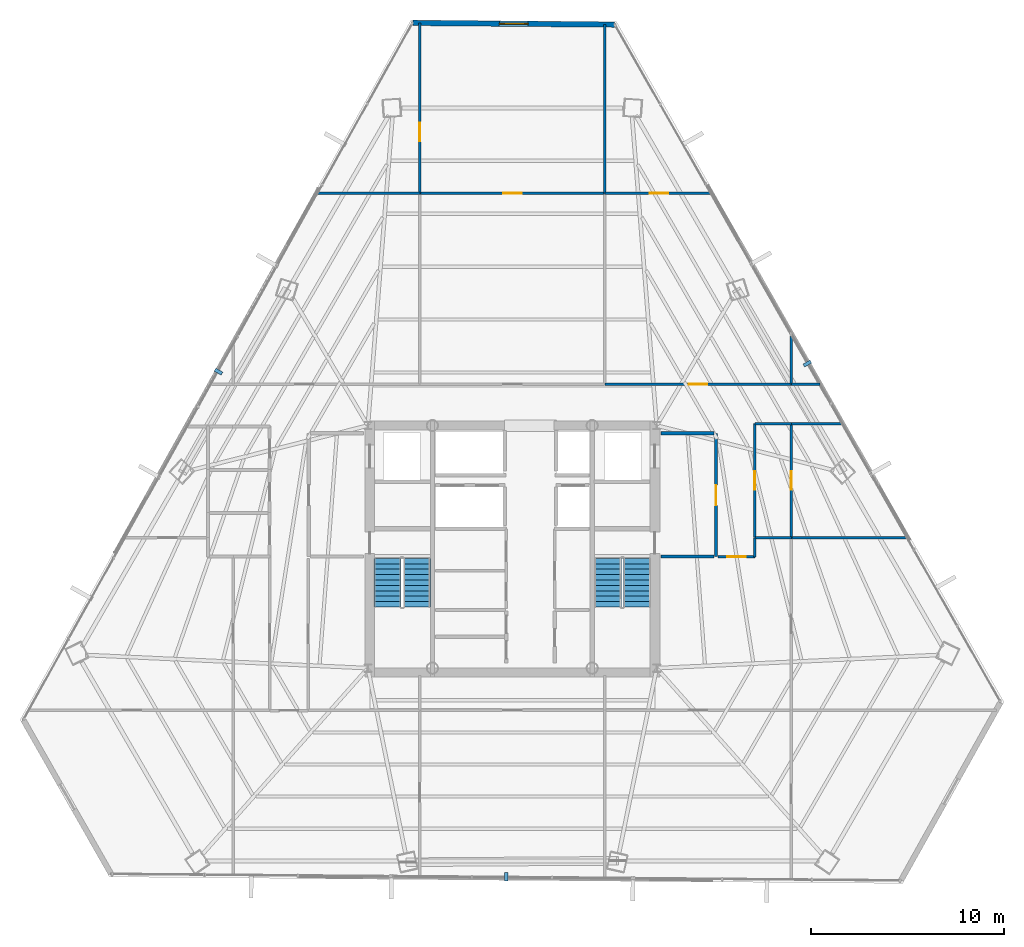
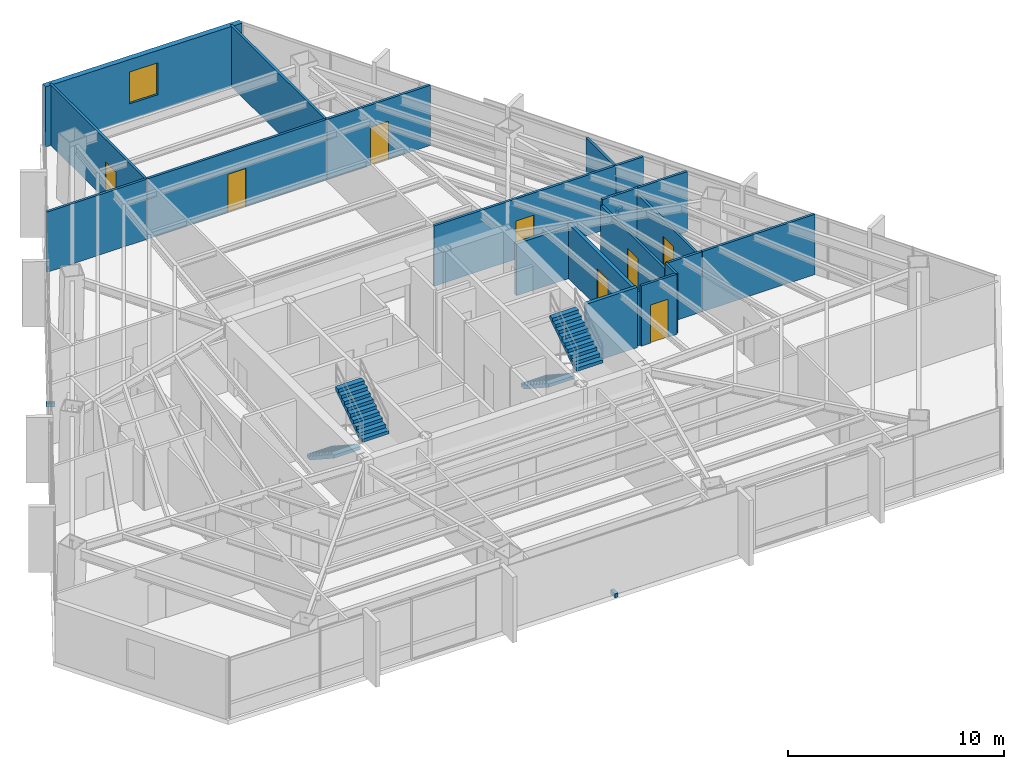
# One storey, part 35 of 38: 20 walls, 8 doors, 4 stair flights, 3 discrete accessories, 1 window, 9 openings, 2 elements without a shape of their own.
"""IFC4 building model written with IfcOpenShell, lengths in metres."""

from ifc_helpers import new_model, si_unit, direction, frame, frame_2d, origin, origin_2d, place, context, subcontext, project, spatial, polyline, rectangle, outline, extrude, source, transform, mapped, material, layer, layer_set, type_object, type_shapes, element, fill, aggregate, save


model = new_model("IFC4")

# Units and contexts
model_context = context("Model", 3, precision=1e-05, world=origin(), true_north=direction((0.0, 1.0)))
body_context = subcontext(model_context, "Body", "Model", "MODEL_VIEW")
ifc_project = project(units=[si_unit("LENGTHUNIT", "METRE"), si_unit("AREAUNIT", "SQUARE_METRE"), si_unit("VOLUMEUNIT", "CUBIC_METRE"), si_unit("PLANEANGLEUNIT", "RADIAN"), si_unit("MASSUNIT", "GRAM", prefix="KILO")], contexts=[model_context])

# Site, building, storey
site_placement = place(None, origin())
site = spatial("IfcSite", under=ifc_project, at=site_placement, CompositionType="ELEMENT")
building_placement = place(site_placement, origin())
building = spatial("IfcBuilding", under=site, at=building_placement, Name="Caelisora Broadcast Tower", CompositionType="ELEMENT")
storey_placement = place(building_placement, frame((0.0, 0.0, 154.85009765625)))
storey = spatial("IfcBuildingStorey", under=building, at=storey_placement, Name="L40", CompositionType="ELEMENT", Elevation=154.85009765625)

# Wall, opening, window
ifc_material_1 = material(Name="Insulated Terracotta Spandrel Wall System", Category="masonry")
ifc_layer_1 = layer(ifc_material_1, 0.280029296875, Name="Insulated Terracotta Spandrel Wall System")
ifc_layer_set_1 = layer_set([ifc_layer_1], Name="Insulated Terracotta Spandrel Wall System")
wall_type_1 = type_object("IfcWallType", Name="EW1", PredefinedType="STANDARD", material=ifc_layer_set_1)
wall_1_placement = place(storey_placement, frame((32.85400390625, 50.912841796875, 0.0), z_axis=(0.0, 0.0, 1.0), x_axis=(0.999965575962, -0.008297402694, 0.0)))
wall_1 = element("IfcWall", 1, at=wall_1_placement, inside=storey, type_object=wall_type_1, Name="L40 exterior envelope wall EW1", PredefinedType="STANDARD", context=body_context, shape_type="SweptSolid", body=[
    extrude(rectangle(XDim=10.4453125, YDim=0.280029296875, at=frame_2d((5.22265625, 0.0))), origin(), (0.0, 0.0, 1.0), 3.39990234375),
])
opening_1_placement = place(wall_1_placement, frame((4.469970703125, 0.0, 0.89990234375)))
opening_1 = element("IfcOpeningElement", 2, at=opening_1_placement, cuts=wall_1, Name="Opening W02", PredefinedType="OPENING", context=body_context, shape_type="SweptSolid", body=[
    extrude(rectangle(XDim=1.5, YDim=1.800048828125, at=frame_2d((0.75, 0.89990234375))), frame((0.0, 0.152099609375, 0.0), z_axis=(0.0, -1.0, 0.0), x_axis=(1.0, 0.0, 0.0)), (0.0, 0.0, 1.0), 0.303955078125),
])
ifc_material_2 = material(Name="Double Glazed Terracotta-Framed Vision Window", Category="glass")
window_type = type_object("IfcWindowType", Name="W02", PartitioningType="SINGLE_PANEL", PredefinedType="WINDOW", material=ifc_material_2)
window_placement = place(opening_1_placement, origin())
window = element("IfcWindow", 3, at=window_placement, inside=storey, type_object=window_type, Name="L40 window W02 (L40-WN-CH8)", OverallHeight=1.800048828125, OverallWidth=1.5, PartitioningType="SINGLE_PANEL", PredefinedType="WINDOW", context=body_context, shape_type="SweptSolid", body=[
    extrude(rectangle(XDim=1.5, YDim=1.800048828125, at=frame_2d((0.75, 0.89990234375))), frame((0.0, 0.030029296875, 0.0), z_axis=(0.0, -1.0, 0.0), x_axis=(1.0, 0.0, 0.0)), (0.0, 0.0, 1.0), 0.06005859375),
])
fill(opening_1, window)

# Wall, opening, door
ifc_material_3 = material(Name="Fire-Rated Gypsum Shaft and Compartment Wall", Category="gypsum")
ifc_layer_2 = layer(ifc_material_3, 0.179931640625, Name="Fire-Rated Gypsum Shaft and Compartment Wall")
ifc_layer_set_2 = layer_set([ifc_layer_2], Name="Fire-Rated Gypsum Shaft and Compartment Wall")
wall_type_2 = type_object("IfcWallType", Name="PW2", PredefinedType="PARTITIONING", material=ifc_layer_set_2)
wall_2_placement = place(storey_placement, frame((48.580078125, 23.199951171875, 0.0), z_axis=(0.0, 0.0, 1.0), x_axis=(0.0, 1.0, 0.0)))
wall_2 = element("IfcWall", 4, at=wall_2_placement, inside=storey, type_object=wall_type_2, Name="L40 fire compartment wall PW2", PredefinedType="PARTITIONING", context=body_context, shape_type="SweptSolid", body=[
    extrude(rectangle(XDim=6.400146484375, YDim=0.179931640625, at=frame_2d((3.2001953125, 0.0))), origin(), (0.0, 0.0, 1.0), 3.07763671875),
])
opening_2_placement = place(wall_2_placement, frame((2.64990234375, 0.0, 0.0)))
opening_2 = element("IfcOpeningElement", 5, at=opening_2_placement, cuts=wall_2, Name="Opening FD02", PredefinedType="OPENING", context=body_context, shape_type="SweptSolid", body=[
    extrude(rectangle(XDim=1.050048828125, YDim=2.14990234375, at=frame_2d((0.52490234375, 1.074951171875))), frame((0.0, 0.10205078125, 0.0), z_axis=(0.0, -1.0, 0.0), x_axis=(1.0, 0.0, 0.0)), (0.0, 0.0, 1.0), 0.203857421875),
])
ifc_material_4 = material(Name="Single-Leaf Steel Fire Lobby Door", Category="steel")
door_type_1 = type_object("IfcDoorType", Name="FD02", OperationType="NOTDEFINED", PredefinedType="DOOR", material=ifc_material_4)
door_1_placement = place(opening_2_placement, origin())
door_1 = element("IfcDoor", 6, at=door_1_placement, inside=storey, type_object=door_type_1, Name="L40 door FD02 (L40-DR-P04D1)", OperationType="SINGLE_SWING_LEFT", OverallHeight=2.14990234375, OverallWidth=1.050048828125, PredefinedType="DOOR", context=body_context, shape_type="SweptSolid", body=[
    extrude(rectangle(XDim=1.050048828125, YDim=2.14990234375, at=frame_2d((0.52490234375, 1.074951171875))), frame((0.0, 0.02490234375, 0.0), z_axis=(0.0, -1.0, 0.0), x_axis=(1.0, 0.0, 0.0)), (0.0, 0.0, 1.0), 0.050048828125),
])
fill(opening_2, door_1)

# Walls
wall_3_placement = place(storey_placement, frame((45.719970703125, 23.199951171875, 0.0), z_axis=(0.0, 0.0, 1.0), x_axis=(1.0, 0.0, 0.0)))
element("IfcWall", 7, at=wall_3_placement, inside=storey, type_object=wall_type_2, Name="L40 fire compartment wall PW2", PredefinedType="PARTITIONING", context=body_context, shape_type="SweptSolid", body=[
    extrude(rectangle(XDim=2.760009765625, YDim=0.179931640625, at=frame_2d((1.3798828125, 0.0))), origin(), (0.0, 0.0, 1.0), 3.39990234375),
])
wall_4_placement = place(storey_placement, frame((45.719970703125, 29.60009765625, 0.0), z_axis=(0.0, 0.0, 1.0), x_axis=(1.0, 0.0, 0.0)))
element("IfcWall", 8, at=wall_4_placement, inside=storey, type_object=wall_type_2, Name="L40 fire compartment wall PW2", PredefinedType="PARTITIONING", context=body_context, shape_type="SweptSolid", body=[
    extrude(rectangle(XDim=2.760009765625, YDim=0.179931640625, at=frame_2d((1.3798828125, 0.0))), origin(), (0.0, 0.0, 1.0), 2.924560546875),
])

# Wall, opening, door
ifc_material_5 = material(Name="Acoustic Steel-Stud Plasterboard Partition", Category="gypsum")
ifc_layer_3 = layer(ifc_material_5, 0.1298828125, Name="Acoustic Steel-Stud Plasterboard Partition")
ifc_layer_set_3 = layer_set([ifc_layer_3], Name="Acoustic Steel-Stud Plasterboard Partition")
wall_type_3 = type_object("IfcWallType", Name="PW3", PredefinedType="PARTITIONING", material=ifc_layer_set_3)
wall_5_placement = place(storey_placement, frame((42.804931640625, 32.14990234375, 0.0), z_axis=(0.0, 0.0, 1.0), x_axis=(1.0, 0.0, 0.0)))
wall_5 = element("IfcWall", 9, at=wall_5_placement, inside=storey, type_object=wall_type_3, Name="L40 internal partition PW3", PredefinedType="PARTITIONING", context=body_context, shape_type="SweptSolid", body=[
    extrude(rectangle(XDim=9.690185546875, YDim=0.1298828125, at=frame_2d((4.84521484375, 0.0))), origin(), (0.0, 0.0, 1.0), 3.39990234375),
])
opening_3_placement = place(wall_5_placement, frame((4.364990234375, 0.0, 0.0)))
opening_3 = element("IfcOpeningElement", 10, at=opening_3_placement, cuts=wall_5, Name="Opening D01", PredefinedType="OPENING", context=body_context, shape_type="SweptSolid", body=[
    extrude(rectangle(XDim=0.9599609375, YDim=2.14990234375, at=frame_2d((0.47998046875, 1.074951171875))), frame((0.0, 0.076904296875, 0.0), z_axis=(0.0, -1.0, 0.0), x_axis=(1.0, 0.0, 0.0)), (0.0, 0.0, 1.0), 0.15380859375),
])
ifc_material_6 = material(Name="Solid-Core Timber Acoustic Office Door", Category="wood")
door_type_2 = type_object("IfcDoorType", Name="D01", OperationType="NOTDEFINED", PredefinedType="DOOR", material=ifc_material_6)
door_2_placement = place(opening_3_placement, origin())
door_2 = element("IfcDoor", 11, at=door_2_placement, inside=storey, type_object=door_type_2, Name="L40 door D01 (L40-DR-P36D1)", OperationType="SINGLE_SWING_LEFT", OverallHeight=2.14990234375, OverallWidth=0.9599609375, PredefinedType="DOOR", context=body_context, shape_type="SweptSolid", body=[
    extrude(rectangle(XDim=0.9599609375, YDim=2.14990234375, at=frame_2d((0.47998046875, 1.074951171875))), frame((0.0, 0.02490234375, 0.0), z_axis=(0.0, -1.0, 0.0), x_axis=(1.0, 0.0, 0.0)), (0.0, 0.0, 1.0), 0.050048828125),
])
fill(opening_3, door_2)

wall_6_placement = place(storey_placement, frame((33.205078125, 42.06005859375, 0.0), z_axis=(0.0, 0.0, 1.0), x_axis=(1.0, 0.0, 0.0)))
wall_6 = element("IfcWall", 12, at=wall_6_placement, inside=storey, type_object=wall_type_3, Name="L40 internal partition PW3", PredefinedType="PARTITIONING", context=body_context, shape_type="SweptSolid", body=[
    extrude(rectangle(XDim=9.58984375, YDim=0.1298828125, at=frame_2d((4.794921875, 0.0))), origin(), (0.0, 0.0, 1.0), 3.39990234375),
])
opening_4_placement = place(wall_6_placement, frame((4.31494140625, 0.0, 0.0)))
opening_4 = element("IfcOpeningElement", 13, at=opening_4_placement, cuts=wall_6, Name="Opening D01", PredefinedType="OPENING", context=body_context, shape_type="SweptSolid", body=[
    extrude(rectangle(XDim=0.9599609375, YDim=2.14990234375, at=frame_2d((0.47998046875, 1.074951171875))), frame((0.0, 0.076904296875, 0.0), z_axis=(0.0, -1.0, 0.0), x_axis=(1.0, 0.0, 0.0)), (0.0, 0.0, 1.0), 0.15380859375),
])
door_3_placement = place(opening_4_placement, origin())
door_3 = element("IfcDoor", 14, at=door_3_placement, inside=storey, type_object=door_type_2, Name="L40 door D01 (L40-DR-P40D1)", OperationType="SINGLE_SWING_LEFT", OverallHeight=2.14990234375, OverallWidth=0.9599609375, PredefinedType="DOOR", context=body_context, shape_type="SweptSolid", body=[
    extrude(rectangle(XDim=0.9599609375, YDim=2.14990234375, at=frame_2d((0.47998046875, 1.074951171875))), frame((0.0, 0.02490234375, 0.0), z_axis=(0.0, -1.0, 0.0), x_axis=(1.0, 0.0, 0.0)), (0.0, 0.0, 1.0), 0.050048828125),
])
fill(opening_4, door_3)

wall_7_placement = place(storey_placement, frame((33.199951171875, 42.06494140625, 0.0), z_axis=(0.0, 0.0, 1.0), x_axis=(0.0, 1.0, 0.0)))
wall_7 = element("IfcWall", 15, at=wall_7_placement, inside=storey, type_object=wall_type_3, Name="L40 internal partition PW3", PredefinedType="PARTITIONING", context=body_context, shape_type="SweptSolid", body=[
    extrude(rectangle(XDim=8.85009765625, YDim=0.1298828125, at=frame_2d((4.425048828125, 0.0))), origin(), (0.0, 0.0, 1.0), 3.39990234375),
])
opening_5_placement = place(wall_7_placement, frame((2.699951171875, 0.0, 0.0)))
opening_5 = element("IfcOpeningElement", 16, at=opening_5_placement, cuts=wall_7, Name="Opening D01", PredefinedType="OPENING", context=body_context, shape_type="SweptSolid", body=[
    extrude(rectangle(XDim=0.9599609375, YDim=2.14990234375, at=frame_2d((0.47998046875, 1.074951171875))), frame((0.0, 0.076904296875, 0.0), z_axis=(0.0, -1.0, 0.0), x_axis=(1.0, 0.0, 0.0)), (0.0, 0.0, 1.0), 0.15380859375),
])
door_4_placement = place(opening_5_placement, origin())
door_4 = element("IfcDoor", 17, at=door_4_placement, inside=storey, type_object=door_type_2, Name="L40 door D01 (L40-DR-P42D1)", OperationType="SINGLE_SWING_LEFT", OverallHeight=2.14990234375, OverallWidth=0.9599609375, PredefinedType="DOOR", context=body_context, shape_type="SweptSolid", body=[
    extrude(rectangle(XDim=0.9599609375, YDim=2.14990234375, at=frame_2d((0.47998046875, 1.074951171875))), frame((0.0, 0.02490234375, 0.0), z_axis=(0.0, -1.0, 0.0), x_axis=(1.0, 0.0, 0.0)), (0.0, 0.0, 1.0), 0.050048828125),
])
fill(opening_5, door_4)

# Walls
wall_8_placement = place(storey_placement, frame((42.800048828125, 42.06494140625, 0.0), z_axis=(0.0, 0.0, 1.0), x_axis=(0.0, 1.0, 0.0)))
element("IfcWall", 18, at=wall_8_placement, inside=storey, type_object=wall_type_3, Name="L40 internal partition PW3", PredefinedType="PARTITIONING", context=body_context, shape_type="SweptSolid", body=[
    extrude(rectangle(XDim=8.770263671875, YDim=0.1298828125, at=frame_2d((4.38525390625, 0.0))), origin(), (0.0, 0.0, 1.0), 3.39990234375),
])
wall_9_placement = place(storey_placement, frame((52.5048828125, 24.169921875, 0.0), z_axis=(0.0, 0.0, 1.0), x_axis=(1.0, 0.0, 0.0)))
element("IfcWall", 19, at=wall_9_placement, inside=storey, type_object=wall_type_3, Name="L40 internal partition PW3", PredefinedType="PARTITIONING", context=body_context, shape_type="SweptSolid", body=[
    extrude(rectangle(XDim=6.009765625, YDim=0.1298828125, at=frame_2d((3.0048828125, 0.0))), origin(), (0.0, 0.0, 1.0), 3.39990234375),
])

# Wall, opening, door
wall_10_placement = place(storey_placement, frame((50.60009765625, 24.175048828125, 0.0), z_axis=(0.0, 0.0, 1.0), x_axis=(0.0, 1.0, 0.0)))
wall_10 = element("IfcWall", 20, at=wall_10_placement, inside=storey, type_object=wall_type_3, Name="L40 internal partition PW3", PredefinedType="PARTITIONING", context=body_context, shape_type="SweptSolid", body=[
    extrude(rectangle(XDim=5.919921875, YDim=0.1298828125, at=frame_2d((2.9599609375, 0.0))), origin(), (0.0, 0.0, 1.0), 3.07763671875),
])
opening_6_placement = place(wall_10_placement, frame((2.47998046875, 0.0, 0.0)))
opening_6 = element("IfcOpeningElement", 21, at=opening_6_placement, cuts=wall_10, Name="Opening D01", PredefinedType="OPENING", context=body_context, shape_type="SweptSolid", body=[
    extrude(rectangle(XDim=0.9599609375, YDim=2.14990234375, at=frame_2d((0.47998046875, 1.074951171875))), frame((0.0, 0.076904296875, 0.0), z_axis=(0.0, -1.0, 0.0), x_axis=(1.0, 0.0, 0.0)), (0.0, 0.0, 1.0), 0.15380859375),
])
door_5_placement = place(opening_6_placement, origin())
door_5 = element("IfcDoor", 22, at=door_5_placement, inside=storey, type_object=door_type_2, Name="L40 door D01 (L40-DR-P53D1)", OperationType="SINGLE_SWING_LEFT", OverallHeight=2.14990234375, OverallWidth=0.9599609375, PredefinedType="DOOR", context=body_context, shape_type="SweptSolid", body=[
    extrude(rectangle(XDim=0.9599609375, YDim=2.14990234375, at=frame_2d((0.47998046875, 1.074951171875))), frame((0.0, 0.02490234375, 0.0), z_axis=(0.0, -1.0, 0.0), x_axis=(1.0, 0.0, 0.0)), (0.0, 0.0, 1.0), 0.050048828125),
])
fill(opening_6, door_5)

wall_11_placement = place(storey_placement, frame((52.5, 24.175048828125, 0.0), z_axis=(0.0, 0.0, 1.0), x_axis=(0.0, 1.0, 0.0)))
wall_11 = element("IfcWall", 23, at=wall_11_placement, inside=storey, type_object=wall_type_3, Name="L40 internal partition PW3", PredefinedType="PARTITIONING", context=body_context, shape_type="SweptSolid", body=[
    extrude(rectangle(XDim=5.919921875, YDim=0.1298828125, at=frame_2d((2.9599609375, 0.0))), origin(), (0.0, 0.0, 1.0), 3.07763671875),
])
opening_7_placement = place(wall_11_placement, frame((2.47998046875, 0.0, 0.0)))
opening_7 = element("IfcOpeningElement", 24, at=opening_7_placement, cuts=wall_11, Name="Opening D01", PredefinedType="OPENING", context=body_context, shape_type="SweptSolid", body=[
    extrude(rectangle(XDim=0.9599609375, YDim=2.14990234375, at=frame_2d((0.47998046875, 1.074951171875))), frame((0.0, 0.076904296875, 0.0), z_axis=(0.0, -1.0, 0.0), x_axis=(1.0, 0.0, 0.0)), (0.0, 0.0, 1.0), 0.15380859375),
])
door_6_placement = place(opening_7_placement, origin())
door_6 = element("IfcDoor", 25, at=door_6_placement, inside=storey, type_object=door_type_2, Name="L40 door D01 (L40-DR-P54D1)", OperationType="SINGLE_SWING_RIGHT", OverallHeight=2.14990234375, OverallWidth=0.9599609375, PredefinedType="DOOR", context=body_context, shape_type="SweptSolid", body=[
    extrude(rectangle(XDim=0.9599609375, YDim=2.14990234375, at=frame_2d((0.47998046875, 1.074951171875))), frame((0.0, 0.02490234375, 0.0), z_axis=(0.0, -1.0, 0.0), x_axis=(1.0, 0.0, 0.0)), (0.0, 0.0, 1.0), 0.050048828125),
])
fill(opening_7, door_6)

wall_12_placement = place(storey_placement, frame((42.804931640625, 42.06005859375, 0.0), z_axis=(0.0, 0.0, 1.0), x_axis=(1.0, 0.0, 0.0)))
wall_12 = element("IfcWall", 26, at=wall_12_placement, inside=storey, type_object=wall_type_3, Name="L40 internal partition PW3", PredefinedType="PARTITIONING", context=body_context, shape_type="SweptSolid", body=[
    extrude(rectangle(XDim=5.52197265625, YDim=0.1298828125, at=frame_2d((2.760986328125, 0.0))), origin(), (0.0, 0.0, 1.0), 3.39990234375),
])
opening_8_placement = place(wall_12_placement, frame((2.3330078125, 0.0, 0.0)))
opening_8 = element("IfcOpeningElement", 27, at=opening_8_placement, cuts=wall_12, Name="Opening D01", PredefinedType="OPENING", context=body_context, shape_type="SweptSolid", body=[
    extrude(rectangle(XDim=0.9599609375, YDim=2.14990234375, at=frame_2d((0.47998046875, 1.074951171875))), frame((0.0, 0.076904296875, 0.0), z_axis=(0.0, -1.0, 0.0), x_axis=(1.0, 0.0, 0.0)), (0.0, 0.0, 1.0), 0.15380859375),
])
door_7_placement = place(opening_8_placement, origin())
door_7 = element("IfcDoor", 28, at=door_7_placement, inside=storey, type_object=door_type_2, Name="L40 door D01 (L40-DR-P56D1)", OperationType="SINGLE_SWING_LEFT", OverallHeight=2.14990234375, OverallWidth=0.9599609375, PredefinedType="DOOR", context=body_context, shape_type="SweptSolid", body=[
    extrude(rectangle(XDim=0.9599609375, YDim=2.14990234375, at=frame_2d((0.47998046875, 1.074951171875))), frame((0.0, 0.02490234375, 0.0), z_axis=(0.0, -1.0, 0.0), x_axis=(1.0, 0.0, 0.0)), (0.0, 0.0, 1.0), 0.050048828125),
])
fill(opening_8, door_7)

# Walls
wall_13_placement = place(storey_placement, frame((27.873046875, 42.06005859375, 0.0), z_axis=(0.0, 0.0, 1.0), x_axis=(1.0, 0.0, 0.0)))
element("IfcWall", 29, at=wall_13_placement, inside=storey, type_object=wall_type_3, Name="L40 internal partition PW3", PredefinedType="PARTITIONING", context=body_context, shape_type="SweptSolid", body=[
    extrude(rectangle(XDim=5.322021484375, YDim=0.1298828125, at=frame_2d((2.6611328125, 0.0))), origin(), (0.0, 0.0, 1.0), 3.39990234375),
])
wall_14_placement = place(storey_placement, frame((52.5, 34.73193359375, 0.0), z_axis=(0.0, 0.0, 1.0), x_axis=(0.0, -1.0, 0.0)))
element("IfcWall", 30, at=wall_14_placement, inside=storey, type_object=wall_type_3, Name="L40 internal partition PW3", PredefinedType="PARTITIONING", context=body_context, shape_type="SweptSolid", body=[
    extrude(rectangle(XDim=2.576904296875, YDim=0.1298828125, at=frame_2d((1.28857421875, 0.0))), origin(), (0.0, 0.0, 1.0), 3.39990234375),
])
wall_15_placement = place(storey_placement, frame((52.5048828125, 30.10009765625, 0.0), z_axis=(0.0, 0.0, 1.0), x_axis=(1.0, 0.0, 0.0)))
element("IfcWall", 31, at=wall_15_placement, inside=storey, type_object=wall_type_3, Name="L40 internal partition PW3", PredefinedType="PARTITIONING", context=body_context, shape_type="SweptSolid", body=[
    extrude(rectangle(XDim=2.6328125, YDim=0.1298828125, at=frame_2d((1.31640625, 0.0))), origin(), (0.0, 0.0, 1.0), 3.39990234375),
])

# Wall, opening, door
wall_16_placement = place(storey_placement, frame((48.675048828125, 23.179931640625, 0.0), z_axis=(0.0, 0.0, 1.0), x_axis=(1.0, 0.0, 0.0)))
wall_16 = element("IfcWall", 32, at=wall_16_placement, inside=storey, type_object=wall_type_3, Name="L40 internal partition PW3", PredefinedType="PARTITIONING", context=body_context, shape_type="SweptSolid", body=[
    extrude(rectangle(XDim=1.919921875, YDim=0.1298828125, at=frame_2d((0.9599609375, 0.0))), origin(), (0.0, 0.0, 1.0), 3.39990234375),
])
opening_9_placement = place(wall_16_placement, frame((0.47998046875, 0.0, 0.0)))
opening_9 = element("IfcOpeningElement", 33, at=opening_9_placement, cuts=wall_16, Name="Opening D01", PredefinedType="OPENING", context=body_context, shape_type="SweptSolid", body=[
    extrude(rectangle(XDim=0.9599609375, YDim=2.14990234375, at=frame_2d((0.47998046875, 1.074951171875))), frame((0.0, 0.076904296875, 0.0), z_axis=(0.0, -1.0, 0.0), x_axis=(1.0, 0.0, 0.0)), (0.0, 0.0, 1.0), 0.15380859375),
])
door_8_placement = place(opening_9_placement, origin())
door_8 = element("IfcDoor", 34, at=door_8_placement, inside=storey, type_object=door_type_2, Name="L40 door D01 (L40-DR-P63D1)", OperationType="SINGLE_SWING_LEFT", OverallHeight=2.14990234375, OverallWidth=0.9599609375, PredefinedType="DOOR", context=body_context, shape_type="SweptSolid", body=[
    extrude(rectangle(XDim=0.9599609375, YDim=2.14990234375, at=frame_2d((0.47998046875, 1.074951171875))), frame((0.0, 0.02490234375, 0.0), z_axis=(0.0, -1.0, 0.0), x_axis=(1.0, 0.0, 0.0)), (0.0, 0.0, 1.0), 0.050048828125),
])
fill(opening_9, door_8)

# Walls
for number, where, z_axis, x_axis, name in (
    (35, (50.60498046875, 30.10009765625, 0.0), (0.0, 0.0, 1.0), (1.0, 0.0, 0.0), "L40 internal partition PW3"),
    (36, (50.60498046875, 24.169921875, 0.0), (0.0, 0.0, 1.0), (1.0, 0.0, 0.0), "L40 internal partition PW3"),
):
    element("IfcWall", number, at=place(storey_placement, frame(where, z_axis=z_axis, x_axis=x_axis)), inside=storey, type_object=wall_type_3, Name=name, PredefinedType="PARTITIONING", context=body_context, shape_type="SweptSolid", body=[
        extrude(rectangle(XDim=1.89013671875, YDim=0.1298828125, at=frame_2d((0.945068359375, 0.0))), origin(), (0.0, 0.0, 1.0), 3.39990234375),
    ])
wall_17_placement = place(storey_placement, frame((52.5048828125, 32.14990234375, 0.0), z_axis=(0.0, 0.0, 1.0), x_axis=(1.0, 0.0, 0.0)))
element("IfcWall", 37, at=wall_17_placement, inside=storey, type_object=wall_type_3, Name="L40 internal partition PW3", PredefinedType="PARTITIONING", context=body_context, shape_type="SweptSolid", body=[
    extrude(rectangle(XDim=1.46533203125, YDim=0.1298828125, at=frame_2d((0.732666015625, 0.0))), origin(), (0.0, 0.0, 1.0), 3.39990234375),
])
wall_18_placement = place(storey_placement, frame((50.60009765625, 23.18505859375, 0.0), z_axis=(0.0, 0.0, 1.0), x_axis=(0.0, 1.0, 0.0)))
element("IfcWall", 38, at=wall_18_placement, inside=storey, type_object=wall_type_3, Name="L40 internal partition PW3", PredefinedType="PARTITIONING", context=body_context, shape_type="SweptSolid", body=[
    extrude(rectangle(XDim=0.97998046875, YDim=0.1298828125, at=frame_2d((0.489990234375, 0.0))), origin(), (0.0, 0.0, 1.0), 3.39990234375),
])

# Stair, stair flights
ifc_material_7 = material(Name="Concrete 40 MPa (AS 3600 N40)", Category="concrete")
stair_type_1 = type_object("IfcStairType", Name="ST-1", PredefinedType="HALF_TURN_STAIR", material=ifc_material_7)
stair_1_placement = place(storey_placement, origin())
stair_1 = element("IfcStair", 39, at=stair_1_placement, inside=storey, type_object=stair_type_1, Name="L40 West Fire-Isolated Tower Stair", PredefinedType="HALF_TURN_STAIR")
stair_flight_type = type_object("IfcStairFlightType", Name="STF-3", PredefinedType="STRAIGHT", material=ifc_material_7)
stair_flight_1_placement = place(storey_placement, frame((31.52001953125, 23.10009765625, 0.0), z_axis=(0.0, 0.0, 1.0), x_axis=(0.0, -1.0, 0.0)))
stair_flight_1 = element("IfcStairFlight", 40, at=stair_flight_1_placement, type_object=stair_flight_type, Name="ST-1 flight 1", NumberOfRisers=10, NumberOfTreads=9, PredefinedType="STRAIGHT", RiserHeight=0.1825, TreadLength=0.28, context=body_context, shape_type="SweptSolid", body=[
    extrude(outline(polyline([(0.0, 0.0), (0.0, 0.1826171875), (0.280029296875, 0.1826171875), (0.280029296875, 0.364990234375), (0.56005859375, 0.364990234375), (0.56005859375, 0.547607421875), (0.840087890625, 0.547607421875), (0.840087890625, 0.72998046875), (1.1201171875, 0.72998046875), (1.1201171875, 0.91259765625), (1.39990234375, 0.91259765625), (1.39990234375, 1.094970703125), (1.679931640625, 1.094970703125), (1.679931640625, 1.277587890625), (1.9599609375, 1.277587890625), (1.9599609375, 1.4599609375), (2.239990234375, 1.4599609375), (2.239990234375, 1.642578125), (2.52001953125, 1.642578125), (2.52001953125, 1.824951171875), (2.52001953125, 1.463623046875), (0.2744140625, 0.0), (0.0, 0.0)])), frame((0.0, 0.699951171875, 0.0), z_axis=(0.0, -1.0, 0.0), x_axis=(1.0, 0.0, 0.0)), (0.0, 0.0, 1.0), 1.39990234375),
])
stair_flight_2_placement = place(storey_placement, frame((33.0400390625, 20.580078125, 1.824951171875), z_axis=(0.0, 0.0, 1.0), x_axis=(0.0, 1.0, 0.0)))
stair_flight_2 = element("IfcStairFlight", 41, at=stair_flight_2_placement, type_object=stair_flight_type, Name="ST-1 flight 2", NumberOfRisers=10, NumberOfTreads=9, PredefinedType="STRAIGHT", RiserHeight=0.1825, TreadLength=0.28, context=body_context, shape_type="SweptSolid", body=[
    extrude(outline(polyline([(0.0, 0.0), (0.0, 0.1826171875), (0.280029296875, 0.1826171875), (0.280029296875, 0.364990234375), (0.56005859375, 0.364990234375), (0.56005859375, 0.547607421875), (0.840087890625, 0.547607421875), (0.840087890625, 0.72998046875), (1.1201171875, 0.72998046875), (1.1201171875, 0.91259765625), (1.39990234375, 0.91259765625), (1.39990234375, 1.094970703125), (1.679931640625, 1.094970703125), (1.679931640625, 1.277587890625), (1.9599609375, 1.277587890625), (1.9599609375, 1.4599609375), (2.239990234375, 1.4599609375), (2.239990234375, 1.642578125), (2.52001953125, 1.642578125), (2.52001953125, 1.824951171875), (2.52001953125, 1.463623046875), (0.2744140625, 0.0), (0.0, 0.0)])), frame((0.0, 0.699951171875, 0.0), z_axis=(0.0, -1.0, 0.0), x_axis=(1.0, 0.0, 0.0)), (0.0, 0.0, 1.0), 1.39990234375),
])
aggregate(stair_1, [stair_flight_1, stair_flight_2])

stair_type_2 = type_object("IfcStairType", Name="ST-2", PredefinedType="HALF_TURN_STAIR", material=ifc_material_7)
stair_2_placement = place(storey_placement, origin())
stair_2 = element("IfcStair", 42, at=stair_2_placement, inside=storey, type_object=stair_type_2, Name="L40 East Fire-Isolated Tower Stair", PredefinedType="HALF_TURN_STAIR")
stair_flight_3_placement = place(storey_placement, frame((42.9599609375, 23.10009765625, 0.0), z_axis=(0.0, 0.0, 1.0), x_axis=(0.0, -1.0, 0.0)))
stair_flight_3 = element("IfcStairFlight", 43, at=stair_flight_3_placement, type_object=stair_flight_type, Name="ST-2 flight 1", NumberOfRisers=10, NumberOfTreads=9, PredefinedType="STRAIGHT", RiserHeight=0.1825, TreadLength=0.28, context=body_context, shape_type="SweptSolid", body=[
    extrude(outline(polyline([(0.0, 0.0), (0.0, 0.1826171875), (0.280029296875, 0.1826171875), (0.280029296875, 0.364990234375), (0.56005859375, 0.364990234375), (0.56005859375, 0.547607421875), (0.840087890625, 0.547607421875), (0.840087890625, 0.72998046875), (1.1201171875, 0.72998046875), (1.1201171875, 0.91259765625), (1.39990234375, 0.91259765625), (1.39990234375, 1.094970703125), (1.679931640625, 1.094970703125), (1.679931640625, 1.277587890625), (1.9599609375, 1.277587890625), (1.9599609375, 1.4599609375), (2.239990234375, 1.4599609375), (2.239990234375, 1.642578125), (2.52001953125, 1.642578125), (2.52001953125, 1.824951171875), (2.52001953125, 1.463623046875), (0.2744140625, 0.0), (0.0, 0.0)])), frame((0.0, 0.699951171875, 0.0), z_axis=(0.0, -1.0, 0.0), x_axis=(1.0, 0.0, 0.0)), (0.0, 0.0, 1.0), 1.39990234375),
])
stair_flight_4_placement = place(storey_placement, frame((44.47998046875, 20.580078125, 1.824951171875), z_axis=(0.0, 0.0, 1.0), x_axis=(0.0, 1.0, 0.0)))
stair_flight_4 = element("IfcStairFlight", 44, at=stair_flight_4_placement, type_object=stair_flight_type, Name="ST-2 flight 2", NumberOfRisers=10, NumberOfTreads=9, PredefinedType="STRAIGHT", RiserHeight=0.1825, TreadLength=0.28, context=body_context, shape_type="SweptSolid", body=[
    extrude(outline(polyline([(0.0, 0.0), (0.0, 0.1826171875), (0.280029296875, 0.1826171875), (0.280029296875, 0.364990234375), (0.56005859375, 0.364990234375), (0.56005859375, 0.547607421875), (0.840087890625, 0.547607421875), (0.840087890625, 0.72998046875), (1.1201171875, 0.72998046875), (1.1201171875, 0.91259765625), (1.39990234375, 0.91259765625), (1.39990234375, 1.094970703125), (1.679931640625, 1.094970703125), (1.679931640625, 1.277587890625), (1.9599609375, 1.277587890625), (1.9599609375, 1.4599609375), (2.239990234375, 1.4599609375), (2.239990234375, 1.642578125), (2.52001953125, 1.642578125), (2.52001953125, 1.824951171875), (2.52001953125, 1.463623046875), (0.2744140625, 0.0), (0.0, 0.0)])), frame((0.0, 0.699951171875, 0.0), z_axis=(0.0, -1.0, 0.0), x_axis=(1.0, 0.0, 0.0)), (0.0, 0.0, 1.0), 1.39990234375),
])
aggregate(stair_2, [stair_flight_3, stair_flight_4])

# Discrete accessories
ifc_material_8 = material(Name="Steel Grade 350 (AS/NZS 3679.1)", Category="steel")
discrete_accessory_type = type_object("IfcDiscreteAccessoryType", Name="BRK-1", PredefinedType="BRACKET", material=ifc_material_8)
shared_shape = source(origin(), body_context, "Body", "SweptSolid", [
    extrude(rectangle(XDim=0.179931640625, YDim=0.419921875, at=origin_2d()), origin(), (0.0, 0.0, 1.0), 0.219970703125),
])
type_shapes(discrete_accessory_type, [shared_shape])
for number, where, z_axis, x_axis, name in (
    (45, (22.7412109375, 32.80029296875, -0.16015625), (0.0, 0.0, 1.0), (-0.487707298065, -0.873007211547, 0.0), "L40 solar screen outrigger bracket #1"),
    (46, (37.677001953125, 6.56640625, -0.16015625), (0.0, 0.0, 1.0), (0.999966355195, -0.008202955488, 0.0), "L40 solar screen outrigger bracket #2"),
    (47, (53.321533203125, 33.218505859375, -0.16015625), (0.0, 0.0, 1.0), (-0.494852128545, 0.868977198133, 0.0), "L40 solar screen outrigger bracket #3"),
):
    element("IfcDiscreteAccessory", number, at=place(storey_placement, frame(where, z_axis=z_axis, x_axis=x_axis)), inside=storey, type_object=discrete_accessory_type, Name=name, PredefinedType="BRACKET", context=body_context, shape_type="MappedRepresentation", body=[
        mapped(shared_shape, transform((0.0, 0.0, 0.0), scale=1.0)),
    ])

save(model, "model.ifc")
